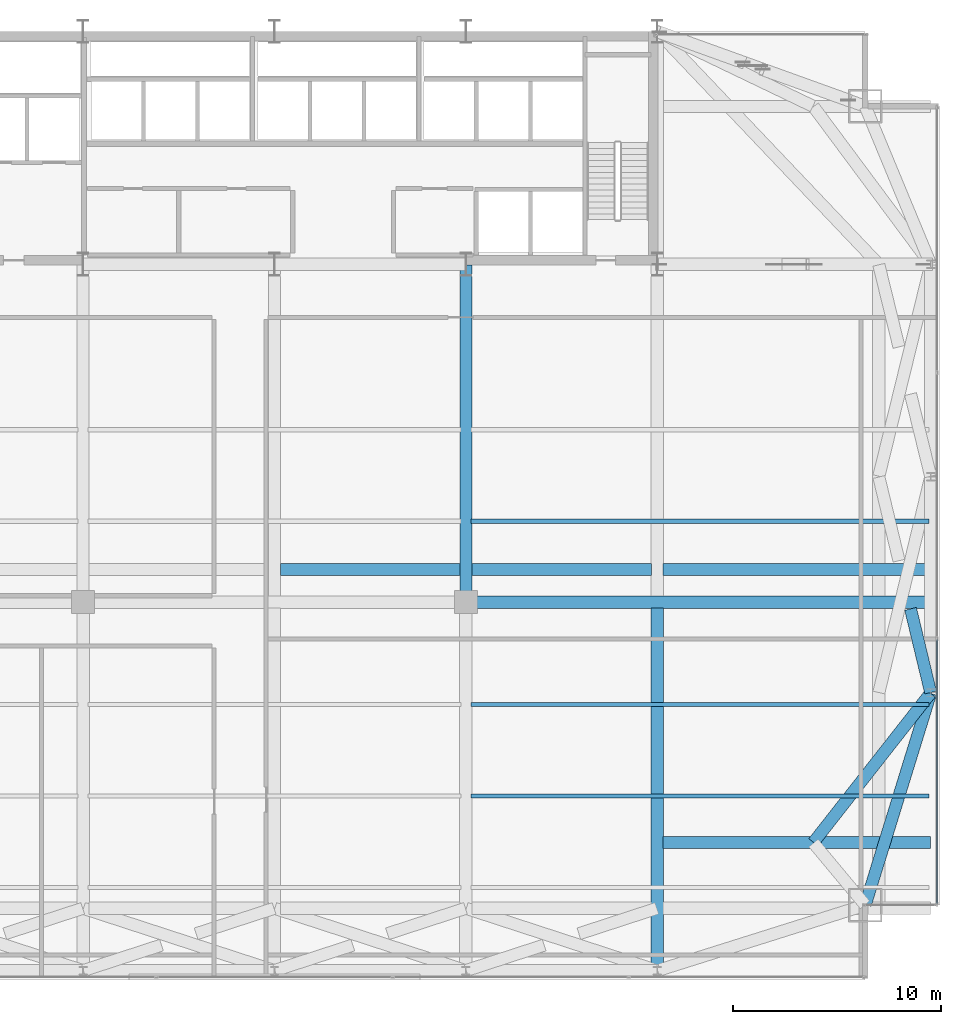
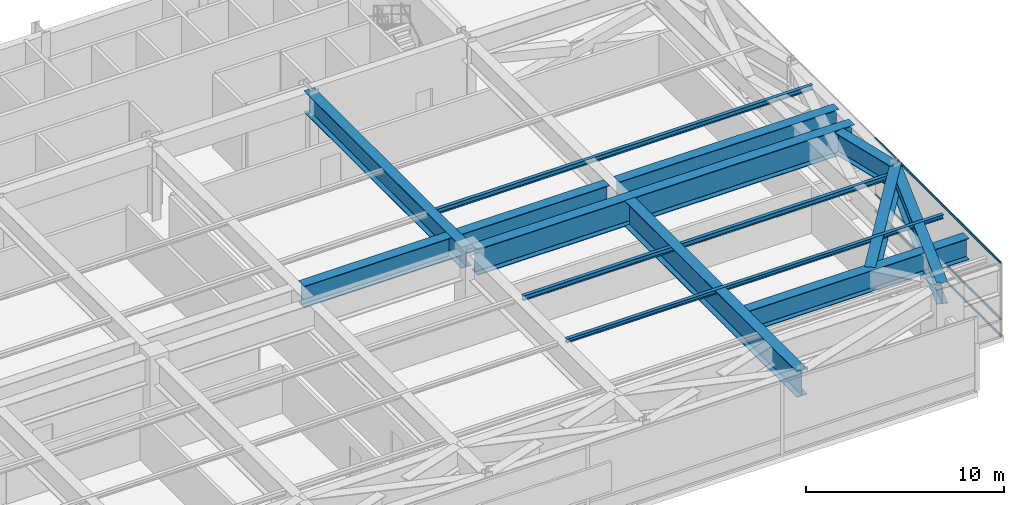
# One storey, part 17 of 30: 13 beams, 3 members, 1 element without a shape of its own.
"""IFC4 building model written with IfcOpenShell, lengths in metres."""

from ifc_helpers import new_model, si_unit, direction, frame, origin, origin_2d, place, context, subcontext, project, spatial, hollow_rectangle, i_section, extrude, source, transform, mapped, material, layer, layer_set, material_profile, profile_set, type_object, type_shapes, element, aggregate, save


model = new_model("IFC4")

# Units and contexts
model_context = context("Model", 3, precision=1e-05, world=origin(), true_north=direction((0.0, 1.0)))
body_context = subcontext(model_context, "Body", "Model", "MODEL_VIEW")
ifc_project = project(units=[si_unit("LENGTHUNIT", "METRE"), si_unit("AREAUNIT", "SQUARE_METRE"), si_unit("VOLUMEUNIT", "CUBIC_METRE"), si_unit("PLANEANGLEUNIT", "RADIAN"), si_unit("MASSUNIT", "GRAM", prefix="KILO")], contexts=[model_context])

# Site, building, storey
site_placement = place(None, origin())
site = spatial("IfcSite", under=ifc_project, at=site_placement, CompositionType="ELEMENT")
building_placement = place(site_placement, origin())
building = spatial("IfcBuilding", under=site, at=building_placement, Name="Varnel Quay Broadcast Tower", CompositionType="ELEMENT")
storey_placement = place(building_placement, frame((0.0, 0.0, 82.199951171875)))
storey = spatial("IfcBuildingStorey", under=building, at=storey_placement, Name="L19", CompositionType="ELEMENT", Elevation=82.199951171875)

# Beams
ifc_material_1 = material(Name="Structural Steel CSA G40.21 350WT", Category="steel")
ifc_material_profile_1 = material_profile(ifc_material_1, i_section(OverallWidth=0.580078125, OverallDepth=1.330078125, WebThickness=0.02197265625, FlangeThickness=0.0380859375, FilletRadius=0.02001953125, at=origin_2d()), Name="WWF1330X535")
ifc_profile_set_1 = profile_set([ifc_material_profile_1], Name="Structural Steel CSA G40.21 350WT")
beam_type_1 = type_object("IfcBeamType", Name="Girder_WWF1330X535", PredefinedType="BEAM", material=ifc_profile_set_1)
shared_shape_1 = source(origin(), body_context, "Body", "SweptSolid", [
    extrude(i_section(OverallWidth=0.580078125, OverallDepth=1.330078125, WebThickness=0.02197265625, FlangeThickness=0.0380859375, FilletRadius=0.02001953125, at=origin_2d()), origin(), (0.0, 0.0, 1.0), 10.635498046875),
])
beam_1_placement = place(storey_placement, frame((62.406005859375, 4.819091796875, 3.885009765625), z_axis=(0.295069676324, 0.955475738108, 0.0), x_axis=(-0.955475738108, 0.295069676324, 0.0)))
element("IfcBeam", 1, at=beam_1_placement, inside=storey, type_object=beam_type_1, Name="L19 East Transfer Spine MC-SE-TC-E1", PredefinedType="BEAM", context=body_context, shape_type="MappedRepresentation", body=[
    mapped(shared_shape_1, transform((0.0, 0.0, 0.0), x_axis=(1.0, 0.0, 0.0), y_axis=(0.0, 1.0, 0.0), z_axis=(0.0, 0.0, 1.0), scale=1.0)),
])
ifc_material_profile_2 = material_profile(ifc_material_1, i_section(OverallWidth=0.60009765625, OverallDepth=1.60009765625, WebThickness=0.02392578125, FlangeThickness=0.0419921875, FilletRadius=0.02197265625, at=origin_2d()), Name="WWF1600X620")
ifc_profile_set_2 = profile_set([ifc_material_profile_2], Name="Structural Steel CSA G40.21 350WT")
beam_type_2 = type_object("IfcBeamType", Name="Girder_WWF1600X620", PredefinedType="BEAM", material=ifc_profile_set_2)
shared_shape_2 = source(origin(), body_context, "Body", "SweptSolid", [
    extrude(i_section(OverallWidth=0.60009765625, OverallDepth=1.60009765625, WebThickness=0.02392578125, FlangeThickness=0.0419921875, FilletRadius=0.02197265625, at=origin_2d()), origin(), (0.0, 0.0, 1.0), 22.025146484375),
])
beam_2_placement = place(storey_placement, frame((43.5048828125, 19.3701171875, 3.75), z_axis=(1.0, 0.0, 0.0), x_axis=(0.0, 1.0, 0.0)))
element("IfcBeam", 2, at=beam_2_placement, inside=storey, type_object=beam_type_2, Name="L19 Mid Transfer Spine E", PredefinedType="BEAM", context=body_context, shape_type="MappedRepresentation", body=[
    mapped(shared_shape_2, transform((0.0, 0.0, 0.0), x_axis=(1.0, 0.0, 0.0), y_axis=(0.0, 1.0, 0.0), z_axis=(0.0, 0.0, 1.0), scale=1.0)),
])
shared_shape_3 = source(origin(), body_context, "Body", "SweptSolid", [
    extrude(i_section(OverallWidth=0.60009765625, OverallDepth=1.60009765625, WebThickness=0.02392578125, FlangeThickness=0.0419921875, FilletRadius=0.02197265625, at=origin_2d()), origin(), (0.0, 0.0, 1.0), 17.4150390625),
])
type_shapes(beam_type_2, [shared_shape_2, shared_shape_3])
beam_3_placement = place(storey_placement, frame((52.39990234375, 1.669921875, 3.75), z_axis=(0.0, 1.0, 0.0), x_axis=(-1.0, 0.0, 0.0)))
element("IfcBeam", 3, at=beam_3_placement, inside=storey, type_object=beam_type_2, Name="L19 N-S Transfer Girder 5A", PredefinedType="BEAM", context=body_context, shape_type="MappedRepresentation", body=[
    mapped(shared_shape_3, transform((0.0, 0.0, 0.0), x_axis=(1.0, 0.0, 0.0), y_axis=(0.0, 1.0, 0.0), z_axis=(0.0, 0.0, 1.0), scale=1.0)),
])
shared_shape_4 = source(origin(), body_context, "Body", "SweptSolid", [
    extrude(i_section(OverallWidth=0.580078125, OverallDepth=1.330078125, WebThickness=0.02197265625, FlangeThickness=0.0380859375, FilletRadius=0.02001953125, at=origin_2d()), origin(), (0.0, 0.0, 1.0), 15.925048828125),
])
beam_4_placement = place(storey_placement, frame((43.199951171875, 19.655029296875, 3.885009765625), z_axis=(0.0, 1.0, 0.0), x_axis=(-1.0, 0.0, 0.0)))
element("IfcBeam", 4, at=beam_4_placement, inside=storey, type_object=beam_type_1, Name="L19 N-S Transfer Girder 4B", PredefinedType="BEAM", context=body_context, shape_type="MappedRepresentation", body=[
    mapped(shared_shape_4, transform((0.0, 0.0, 0.0), x_axis=(1.0, 0.0, 0.0), y_axis=(0.0, 1.0, 0.0), z_axis=(0.0, 0.0, 1.0), scale=1.0)),
])
shared_shape_5 = source(origin(), body_context, "Body", "SweptSolid", [
    extrude(i_section(OverallWidth=0.580078125, OverallDepth=1.330078125, WebThickness=0.02197265625, FlangeThickness=0.0380859375, FilletRadius=0.02001953125, at=origin_2d()), origin(), (0.0, 0.0, 1.0), 12.844970703125),
])
for number, where, z_axis, x_axis, name in (
    (5, (52.68505859375, 7.800048828125, 3.885009765625), (1.0, 0.0, 0.0), (0.0, 1.0, 0.0), "L19 Setback Corner South Transfer 6"),
    (6, (52.68505859375, 20.929931640625, 3.885009765625), (1.0, 0.0, 0.0), (0.0, 1.0, 0.0), "L19 Setback Interior Column Transfer 6"),
):
    element("IfcBeam", number, at=place(storey_placement, frame(where, z_axis=z_axis, x_axis=x_axis)), inside=storey, type_object=beam_type_1, Name=name, PredefinedType="BEAM", context=body_context, shape_type="MappedRepresentation", body=[
        mapped(shared_shape_5, transform((0.0, 0.0, 0.0), x_axis=(1.0, 0.0, 0.0), y_axis=(0.0, 1.0, 0.0), z_axis=(0.0, 0.0, 1.0), scale=1.0)),
    ])
shared_shape_6 = source(origin(), body_context, "Body", "SweptSolid", [
    extrude(i_section(OverallWidth=0.580078125, OverallDepth=1.330078125, WebThickness=0.02197265625, FlangeThickness=0.0380859375, FilletRadius=0.02001953125, at=origin_2d()), origin(), (0.0, 0.0, 1.0), 8.6298828125),
])
beam_5_placement = place(storey_placement, frame((43.485107421875, 20.929931640625, 3.885009765625), z_axis=(1.0, 0.0, 0.0), x_axis=(0.0, 1.0, 0.0)))
element("IfcBeam", 7, at=beam_5_placement, inside=storey, type_object=beam_type_1, Name="L19 Setback Interior Column Transfer 5", PredefinedType="BEAM", context=body_context, shape_type="MappedRepresentation", body=[
    mapped(shared_shape_6, transform((0.0, 0.0, 0.0), x_axis=(1.0, 0.0, 0.0), y_axis=(0.0, 1.0, 0.0), z_axis=(0.0, 0.0, 1.0), scale=1.0)),
])
shared_shape_7 = source(origin(), body_context, "Body", "SweptSolid", [
    extrude(i_section(OverallWidth=0.580078125, OverallDepth=1.330078125, WebThickness=0.02197265625, FlangeThickness=0.0380859375, FilletRadius=0.02001953125, at=origin_2d()), origin(), (0.0, 0.0, 1.0), 8.630126953125),
])
beam_6_placement = place(storey_placement, frame((34.284912109375, 20.929931640625, 3.885009765625), z_axis=(1.0, 0.0, 0.0), x_axis=(0.0, 1.0, 0.0)))
element("IfcBeam", 8, at=beam_6_placement, inside=storey, type_object=beam_type_1, Name="L19 Setback Interior Column Transfer 4", PredefinedType="BEAM", context=body_context, shape_type="MappedRepresentation", body=[
    mapped(shared_shape_7, transform((0.0, 0.0, 0.0), x_axis=(1.0, 0.0, 0.0), y_axis=(0.0, 1.0, 0.0), z_axis=(0.0, 0.0, 1.0), scale=1.0)),
])
shared_shape_8 = source(origin(), body_context, "Body", "SweptSolid", [
    extrude(i_section(OverallWidth=0.580078125, OverallDepth=1.330078125, WebThickness=0.02197265625, FlangeThickness=0.0380859375, FilletRadius=0.02001953125, at=origin_2d()), origin(), (0.0, 0.0, 1.0), 9.1123046875),
])
beam_7_placement = place(storey_placement, frame((65.53759765625, 14.984375, 3.885009765625), z_axis=(-0.617325641377, -0.786707730036, 0.0), x_axis=(0.786707730036, -0.617325641377, 0.0)))
element("IfcBeam", 9, at=beam_7_placement, inside=storey, type_object=beam_type_1, Name="L19 Nodal Transfer Tie MC-SE-TC-E1", PredefinedType="BEAM", context=body_context, shape_type="MappedRepresentation", body=[
    mapped(shared_shape_8, transform((0.0, 0.0, 0.0), x_axis=(1.0, 0.0, 0.0), y_axis=(0.0, 1.0, 0.0), z_axis=(0.0, 0.0, 1.0), scale=1.0)),
])
shared_shape_9 = source(origin(), body_context, "Body", "SweptSolid", [
    extrude(i_section(OverallWidth=0.580078125, OverallDepth=1.330078125, WebThickness=0.02197265625, FlangeThickness=0.0380859375, FilletRadius=0.02001953125, at=origin_2d()), origin(), (0.0, 0.0, 1.0), 4.137451171875),
])
type_shapes(beam_type_1, [shared_shape_1, shared_shape_4, shared_shape_5, shared_shape_6, shared_shape_7, shared_shape_8, shared_shape_9])
beam_8_placement = place(storey_placement, frame((65.54541015625, 15.019287109375, 3.885009765625), z_axis=(-0.233723314168, 0.972303148413, 0.0), x_axis=(-0.972303148413, -0.233723314168, 0.0)))
element("IfcBeam", 10, at=beam_8_placement, inside=storey, type_object=beam_type_1, Name="L19 X-Braced Transfer Tie TC-E2-TC-E1 Part 1", PredefinedType="BEAM", context=body_context, shape_type="MappedRepresentation", body=[
    mapped(shared_shape_9, transform((0.0, 0.0, 0.0), x_axis=(1.0, 0.0, 0.0), y_axis=(0.0, 1.0, 0.0), z_axis=(0.0, 0.0, 1.0), scale=1.0)),
])
ifc_material_2 = material(Name="Structural Steel CSA G40.21 350W", Category="steel")
ifc_material_profile_3 = material_profile(ifc_material_2, i_section(OverallWidth=0.202880859375, OverallDepth=0.302978515625, WebThickness=0.007568359375, FlangeThickness=0.01318359375, FilletRadius=0.011962890625, at=origin_2d()), Name="W310X60")
ifc_profile_set_3 = profile_set([ifc_material_profile_3], Name="Structural Steel CSA G40.21 350W")
beam_type_3 = type_object("IfcBeamType", Name="Beam_W310X60", PredefinedType="JOIST", material=ifc_profile_set_3)
shared_shape_10 = source(origin(), body_context, "Body", "SweptSolid", [
    extrude(i_section(OverallWidth=0.202880859375, OverallDepth=0.302978515625, WebThickness=0.007568359375, FlangeThickness=0.01318359375, FilletRadius=0.011962890625, at=origin_2d()), origin(), (0.0, 0.0, 1.0), 22.01953125),
])
type_shapes(beam_type_3, [shared_shape_10])
for number, where, z_axis, x_axis, name in (
    (11, (43.445068359375, 14.449951171875, 4.3984375), (1.0, 0.0, 0.0), (0.0, 1.0, 0.0), "L19 East Floor Joist 3"),
    (12, (43.445068359375, 23.25, 4.3984375), (1.0, 0.0, 0.0), (0.0, 1.0, 0.0), "L19 East Floor Joist 5"),
):
    element("IfcBeam", number, at=place(storey_placement, frame(where, z_axis=z_axis, x_axis=x_axis)), inside=storey, type_object=beam_type_3, Name=name, PredefinedType="JOIST", context=body_context, shape_type="MappedRepresentation", body=[
        mapped(shared_shape_10, transform((0.0, 0.0, 0.0), x_axis=(1.0, 0.0, 0.0), y_axis=(0.0, 1.0, 0.0), z_axis=(0.0, 0.0, 1.0), scale=1.0)),
    ])
ifc_material_profile_4 = material_profile(ifc_material_2, i_section(OverallWidth=0.201904296875, OverallDepth=0.2470703125, WebThickness=0.00732421875, FlangeThickness=0.010986328125, FilletRadius=0.010986328125, at=origin_2d()), Name="W250X49")
ifc_profile_set_4 = profile_set([ifc_material_profile_4], Name="Structural Steel CSA G40.21 350W")
beam_type_4 = type_object("IfcBeamType", Name="Beam_W250X49", PredefinedType="JOIST", material=ifc_profile_set_4)
shared_shape_11 = source(origin(), body_context, "Body", "SweptSolid", [
    extrude(i_section(OverallWidth=0.201904296875, OverallDepth=0.2470703125, WebThickness=0.00732421875, FlangeThickness=0.010986328125, FilletRadius=0.010986328125, at=origin_2d()), origin(), (0.0, 0.0, 1.0), 22.01953125),
])
type_shapes(beam_type_4, [shared_shape_11])
beam_9_placement = place(storey_placement, frame((43.445068359375, 10.050048828125, 4.426513671875), z_axis=(1.0, 0.0, 0.0), x_axis=(0.0, 1.0, 0.0)))
element("IfcBeam", 13, at=beam_9_placement, inside=storey, type_object=beam_type_4, Name="L19 East Floor Joist 2", PredefinedType="JOIST", context=body_context, shape_type="MappedRepresentation", body=[
    mapped(shared_shape_11, transform((0.0, 0.0, 0.0), x_axis=(1.0, 0.0, 0.0), y_axis=(0.0, 1.0, 0.0), z_axis=(0.0, 0.0, 1.0), scale=1.0)),
])

# Curtain wall, members
ifc_material_3 = material(Name="Anodised Bronze Aluminium 6063-T6", Category="aluminium")
ifc_layer = layer(ifc_material_3, 0.18994140625, Name="Anodised Bronze Aluminium 6063-T6")
ifc_layer_set = layer_set([ifc_layer], Name="Anodised Bronze Aluminium 6063-T6")
curtain_wall_type = type_object("IfcCurtainWallType", Name="CW_LowerTower", PredefinedType="NOTDEFINED", material=ifc_layer_set)
curtain_wall_placement = place(storey_placement, origin())
curtain_wall = element("IfcCurtainWall", 14, at=curtain_wall_placement, inside=storey, type_object=curtain_wall_type, Name="L19 East Unitised Curtain Wall", PredefinedType="NOTDEFINED")
ifc_material_profile_5 = material_profile(ifc_material_3, hollow_rectangle(XDim=0.06005859375, YDim=0.14501953125, WallThickness=0.00341796875, at=origin_2d()), Name="ALU60X145X3.5")
ifc_profile_set_5 = profile_set([ifc_material_profile_5], Name="Anodised Bronze Aluminium 6063-T6")
member_type = type_object("IfcMemberType", Name="Tran_CWS-02", PredefinedType="USERDEFINED", material=ifc_profile_set_5)
shared_shape_12 = source(origin(), body_context, "Body", "SweptSolid", [
    extrude(hollow_rectangle(XDim=0.06005859375, YDim=0.14501953125, WallThickness=0.00341796875, at=origin_2d()), origin(), (0.0, 0.0, 1.0), 12.69482421875),
])
type_shapes(member_type, [shared_shape_12])
member_1_placement = place(storey_placement, frame((65.85009765625, 4.8701171875, 0.030029296875), z_axis=(0.0, 1.0, 0.0), x_axis=(-1.0, 0.0, 0.0)))
member_1 = element("IfcMember", 15, at=member_1_placement, type_object=member_type, Name="CWS-02 transom 1.1", ObjectType="TRANSOM", PredefinedType="USERDEFINED", context=body_context, shape_type="MappedRepresentation", body=[
    mapped(shared_shape_12, transform((0.0, 0.0, 0.0), x_axis=(1.0, 0.0, 0.0), y_axis=(0.0, 1.0, 0.0), z_axis=(0.0, 0.0, 1.0), scale=1.0)),
])
member_2_placement = place(storey_placement, frame((65.85009765625, 4.8701171875, 1.050048828125), z_axis=(0.0, 1.0, 0.0), x_axis=(-1.0, 0.0, 0.0)))
member_2 = element("IfcMember", 16, at=member_2_placement, type_object=member_type, Name="CWS-02 transom 1.2", ObjectType="TRANSOM", PredefinedType="USERDEFINED", context=body_context, shape_type="MappedRepresentation", body=[
    mapped(shared_shape_12, transform((0.0, 0.0, 0.0), x_axis=(1.0, 0.0, 0.0), y_axis=(0.0, 1.0, 0.0), z_axis=(0.0, 0.0, 1.0), scale=1.0)),
])
member_3_placement = place(storey_placement, frame((65.85009765625, 4.8701171875, 4.52001953125), z_axis=(0.0, 1.0, 0.0), x_axis=(-1.0, 0.0, 0.0)))
member_3 = element("IfcMember", 17, at=member_3_placement, type_object=member_type, Name="CWS-02 transom 1.3", ObjectType="TRANSOM", PredefinedType="USERDEFINED", context=body_context, shape_type="MappedRepresentation", body=[
    mapped(shared_shape_12, transform((0.0, 0.0, 0.0), x_axis=(1.0, 0.0, 0.0), y_axis=(0.0, 1.0, 0.0), z_axis=(0.0, 0.0, 1.0), scale=1.0)),
])
aggregate(curtain_wall, [member_1, member_2, member_3])

save(model, "model.ifc")
